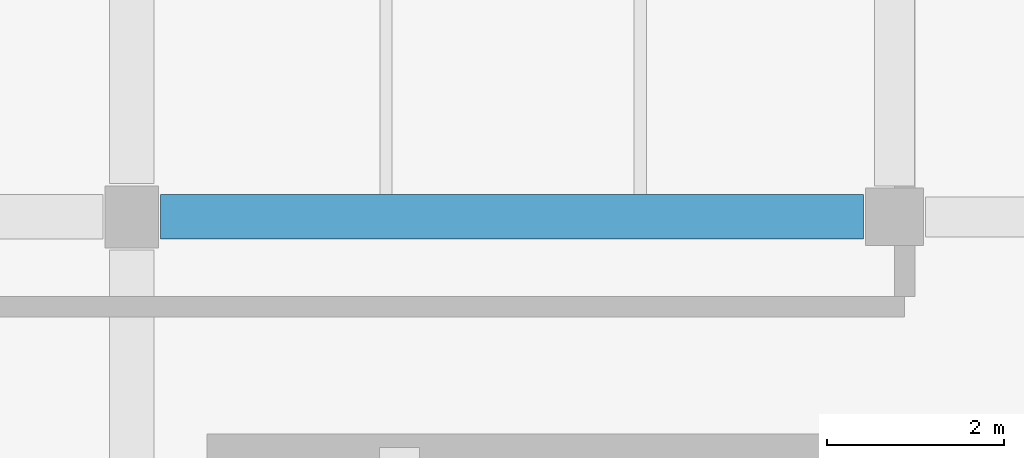
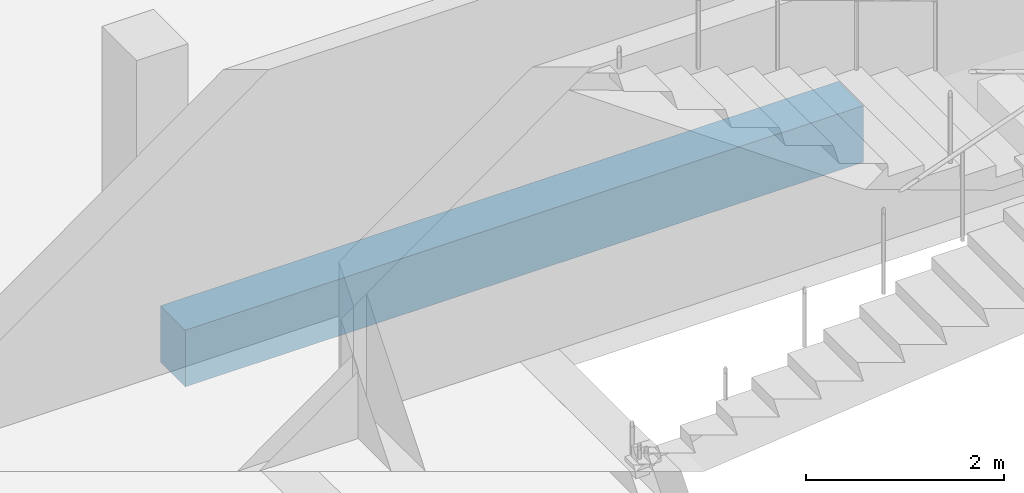
# One storey, part 15 of 93: 1 beam.
"""IFC4 building model written with IfcOpenShell, lengths in metres."""

from ifc_helpers import new_model, si_unit, direction, frame, origin, origin_2d, place, context, subcontext, project, spatial, rectangle, extrude, material, material_profile, profile_set, type_object, element, save


model = new_model("IFC4")

# Units and contexts
model_context = context("Model", 3, precision=1e-05, world=origin(), true_north=direction((0.0, 1.0)))
body_context = subcontext(model_context, "Body", "Model", "MODEL_VIEW")
ifc_project = project(units=[si_unit("LENGTHUNIT", "METRE"), si_unit("AREAUNIT", "SQUARE_METRE"), si_unit("VOLUMEUNIT", "CUBIC_METRE"), si_unit("PLANEANGLEUNIT", "RADIAN"), si_unit("MASSUNIT", "GRAM", prefix="KILO")], contexts=[model_context])

# Site, building, storey
site_placement = place(None, origin())
site = spatial("IfcSite", under=ifc_project, at=site_placement, CompositionType="ELEMENT")
building_placement = place(site_placement, origin())
building = spatial("IfcBuilding", under=site, at=building_placement, Name="Varnakota Cinema and Media Centre", CompositionType="ELEMENT")
storey_placement = place(building_placement, frame((0.0, 0.0, 12.0)))
storey = spatial("IfcBuildingStorey", under=building, at=storey_placement, Name="L03", CompositionType="ELEMENT", Elevation=12.0)

# Beam
ifc_material = material(Name="Concrete M35", Category="concrete")
ifc_material_profile = material_profile(ifc_material, rectangle(XDim=0.5, YDim=0.699951171875, at=origin_2d()), Name="RCB 500x700")
ifc_profile_set = profile_set([ifc_material_profile], Name="Concrete M35")
beam_type = type_object("IfcBeamType", Name="BM-RC-500x700", PredefinedType="BEAM", material=ifc_profile_set)
beam_placement = place(storey_placement, frame((8.925048828125, 52.5, -0.610107421875), z_axis=(1.0, 0.0, 0.0), x_axis=(0.0, 1.0, 0.0)))
element("IfcBeam", 1, at=beam_placement, inside=storey, type_object=beam_type, Name="L03 girder B-C/7", PredefinedType="BEAM", context=body_context, shape_type="SweptSolid", body=[
    extrude(rectangle(XDim=0.5, YDim=0.699951171875, at=origin_2d()), origin(), (0.0, 0.0, 1.0), 7.925048828125),
])

save(model, "model.ifc")
